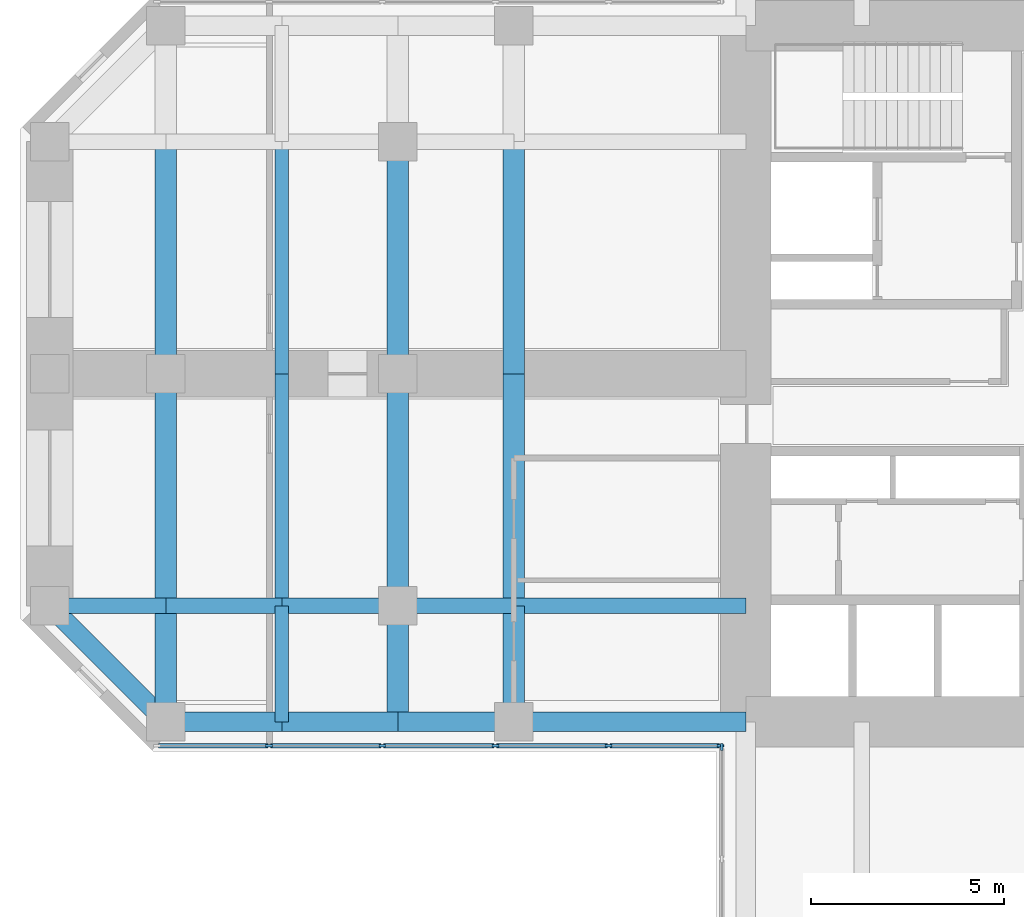
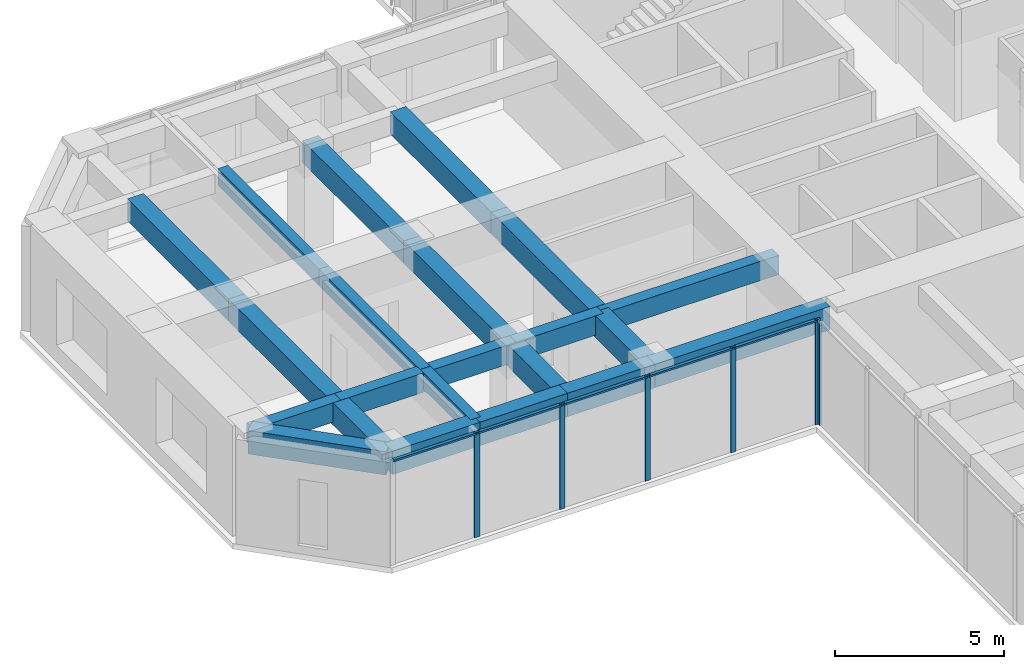
# One storey, part 3 of 12: 22 beams, 11 members, 2 elements without a shape of their own.
"""IFC4 building model written with IfcOpenShell, lengths in metres."""

from ifc_helpers import new_model, si_unit, direction, frame, origin, origin_2d, place, context, subcontext, project, spatial, rectangle, extrude, material, material_profile, profile_set, type_object, element, aggregate, save


model = new_model("IFC4")

# Units and contexts
model_context = context("Model", 3, precision=1e-05, world=origin(), true_north=direction((0.0, 1.0)))
body_context = subcontext(model_context, "Body", "Model", "MODEL_VIEW")
ifc_project = project(units=[si_unit("LENGTHUNIT", "METRE"), si_unit("AREAUNIT", "SQUARE_METRE"), si_unit("VOLUMEUNIT", "CUBIC_METRE"), si_unit("PLANEANGLEUNIT", "RADIAN"), si_unit("MASSUNIT", "GRAM", prefix="KILO")], contexts=[model_context])

# Site, building, storey
site_placement = place(None, origin())
site = spatial("IfcSite", under=ifc_project, at=site_placement, CompositionType="ELEMENT")
building_placement = place(site_placement, origin())
building = spatial("IfcBuilding", under=site, at=building_placement, Name="Torre Cruceta", CompositionType="ELEMENT")
storey_placement = place(building_placement, frame((0.0, 0.0, 100.5)))
storey = spatial("IfcBuildingStorey", under=building, at=storey_placement, Name="L24", CompositionType="ELEMENT", Elevation=100.5)

# Beams
ifc_material_1 = material(Name="Concrete G60 (fck 60 MPa)", Category="concrete")
ifc_material_profile_1 = material_profile(ifc_material_1, rectangle(XDim=0.39990234375, YDim=0.699951171875, at=origin_2d()), Name="RC 400X700")
ifc_profile_set_1 = profile_set([ifc_material_profile_1], Name="Concrete G60 (fck 60 MPa)")
beam_type_1 = type_object("IfcBeamType", Name="COLUMN LINE BEAM RC 400X700", PredefinedType="BEAM", material=ifc_profile_set_1)
beam_1_placement = place(storey_placement, frame((-9.0, -6.0, 3.449951171875), z_axis=(-1.0, 0.0, 0.0), x_axis=(0.0, -1.0, 0.0)))
element("IfcBeam", 1, at=beam_1_placement, inside=storey, type_object=beam_type_1, Name="LB5 L24 W col+ 1", PredefinedType="BEAM", context=body_context, shape_type="SweptSolid", body=[
    extrude(rectangle(XDim=0.39990234375, YDim=0.699951171875, at=origin_2d()), origin(), (0.0, 0.0, 1.0), 6.0),
])
for number, where, z_axis, x_axis, name in (
    (2, (-15.0, -6.0, 3.449951171875), (-1.0, 0.0, 0.0), (0.0, -1.0, 0.0), "LB5 L24 W col+ 2"),
    (3, (-18.0, -6.0, 3.449951171875), (-1.0, 0.0, 0.0), (0.0, -1.0, 0.0), "LB5 L24 W col+ 3"),
    (4, (-21.0, -6.0, 3.449951171875), (-1.0, 0.0, 0.0), (0.0, -1.0, 0.0), "LB5 L24 W col+ 4"),
    (5, (-24.0, -6.0, 3.449951171875), (-1.0, 0.0, 0.0), (0.0, -1.0, 0.0), "LB5 L24 W col+ 5"),
):
    element("IfcBeam", number, at=place(storey_placement, frame(where, z_axis=z_axis, x_axis=x_axis)), inside=storey, type_object=beam_type_1, Name=name, PredefinedType="BEAM", context=body_context, shape_type="SweptSolid", body=[
        extrude(rectangle(XDim=0.39990234375, YDim=0.699951171875, at=origin_2d()), origin(), (0.0, 0.0, 1.0), 3.0),
    ])
ifc_material_2 = material(Name="Concrete G60 (fck 60 MPa)", Category="concrete")
ifc_material_profile_2 = material_profile(ifc_material_2, rectangle(XDim=0.550048828125, YDim=0.800048828125, at=origin_2d()), Name="RC 550X800")
ifc_profile_set_2 = profile_set([ifc_material_profile_2], Name="Concrete G60 (fck 60 MPa)")
beam_type_2 = type_object("IfcBeamType", Name="CROSS BEAM RC 550X800", PredefinedType="BEAM", material=ifc_profile_set_2)
for number, where, z_axis, x_axis, name in (
    (6, (-15.0, 6.0, 3.39990234375), (0.0, -1.0, 0.0), (1.0, 0.0, 0.0), "GB5 L24 W cross15 2"),
    (7, (-15.0, 0.0, 3.39990234375), (0.0, -1.0, 0.0), (1.0, 0.0, 0.0), "GB5 L24 W cross15 3"),
):
    element("IfcBeam", number, at=place(storey_placement, frame(where, z_axis=z_axis, x_axis=x_axis)), inside=storey, type_object=beam_type_2, Name=name, PredefinedType="BEAM", context=body_context, shape_type="SweptSolid", body=[
        extrude(rectangle(XDim=0.550048828125, YDim=0.800048828125, at=origin_2d()), origin(), (0.0, 0.0, 1.0), 6.0),
    ])
beam_2_placement = place(storey_placement, frame((-15.0, -6.0, 3.39990234375), z_axis=(0.0, -1.0, 0.0), x_axis=(1.0, 0.0, 0.0)))
element("IfcBeam", 8, at=beam_2_placement, inside=storey, type_object=beam_type_2, Name="GB5 L24 W cross15 4", PredefinedType="BEAM", context=body_context, shape_type="SweptSolid", body=[
    extrude(rectangle(XDim=0.550048828125, YDim=0.800048828125, at=origin_2d()), origin(), (0.0, 0.0, 1.0), 3.0),
])
for number, where, z_axis, x_axis, name in (
    (9, (-18.0, 6.0, 3.39990234375), (0.0, -1.0, 0.0), (1.0, 0.0, 0.0), "GB5 L24 W cross18 2"),
    (10, (-18.0, 0.0, 3.39990234375), (0.0, -1.0, 0.0), (1.0, 0.0, 0.0), "GB5 L24 W cross18 3"),
):
    element("IfcBeam", number, at=place(storey_placement, frame(where, z_axis=z_axis, x_axis=x_axis)), inside=storey, type_object=beam_type_2, Name=name, PredefinedType="BEAM", context=body_context, shape_type="SweptSolid", body=[
        extrude(rectangle(XDim=0.550048828125, YDim=0.800048828125, at=origin_2d()), origin(), (0.0, 0.0, 1.0), 6.0),
    ])
beam_3_placement = place(storey_placement, frame((-18.0, -6.0, 3.39990234375), z_axis=(0.0, -1.0, 0.0), x_axis=(1.0, 0.0, 0.0)))
element("IfcBeam", 11, at=beam_3_placement, inside=storey, type_object=beam_type_2, Name="GB5 L24 W cross18 4", PredefinedType="BEAM", context=body_context, shape_type="SweptSolid", body=[
    extrude(rectangle(XDim=0.550048828125, YDim=0.800048828125, at=origin_2d()), origin(), (0.0, 0.0, 1.0), 3.0),
])
for number, where, z_axis, x_axis, name in (
    (12, (-24.0, 6.0, 3.39990234375), (0.0, -1.0, 0.0), (1.0, 0.0, 0.0), "GB5 L24 W cross24 2"),
    (13, (-24.0, 0.0, 3.39990234375), (0.0, -1.0, 0.0), (1.0, 0.0, 0.0), "GB5 L24 W cross24 3"),
):
    element("IfcBeam", number, at=place(storey_placement, frame(where, z_axis=z_axis, x_axis=x_axis)), inside=storey, type_object=beam_type_2, Name=name, PredefinedType="BEAM", context=body_context, shape_type="SweptSolid", body=[
        extrude(rectangle(XDim=0.550048828125, YDim=0.800048828125, at=origin_2d()), origin(), (0.0, 0.0, 1.0), 6.0),
    ])
beam_4_placement = place(storey_placement, frame((-24.0, -6.0, 3.39990234375), z_axis=(0.0, -1.0, 0.0), x_axis=(1.0, 0.0, 0.0)))
element("IfcBeam", 14, at=beam_4_placement, inside=storey, type_object=beam_type_2, Name="GB5 L24 W cross24 4", PredefinedType="BEAM", context=body_context, shape_type="SweptSolid", body=[
    extrude(rectangle(XDim=0.550048828125, YDim=0.800048828125, at=origin_2d()), origin(), (0.0, 0.0, 1.0), 3.0),
])

# Curtain wall, members
ifc_material_3 = material(Name="Aluminium unitised curtain wall", Category="aluminium")
curtain_wall_type = type_object("IfcCurtainWallType", Name="CURTAIN WALL CW-B OFFICE MID RISE", PredefinedType="USERDEFINED", material=ifc_material_3)
curtain_wall_1_placement = place(storey_placement, origin())
curtain_wall_1 = element("IfcCurtainWall", 15, at=curtain_wall_1_placement, inside=storey, type_object=curtain_wall_type, Name="CW-B L24 W side 14", ObjectType="UNITISED", PredefinedType="USERDEFINED")
ifc_material_4 = material(Name="Aluminium mullion", Category="aluminium")
ifc_material_profile_3 = material_profile(ifc_material_4, rectangle(XDim=0.06494140625, YDim=0.179931640625, at=origin_2d()), Name="AL 65X180")
ifc_profile_set_3 = profile_set([ifc_material_profile_3], Name="Aluminium mullion")
member_type_1 = type_object("IfcMemberType", Name="CW-B MULLION 65X180", PredefinedType="MULLION", material=ifc_profile_set_3)
member_1_placement = place(storey_placement, frame((-21.329345703125, -9.6201171875, 0.0), z_axis=(0.0, 0.0, 1.0), x_axis=(0.0, 1.0, 0.0)))
member_1 = element("IfcMember", 16, at=member_1_placement, type_object=member_type_1, Name="CW-B mullion 2", PredefinedType="MULLION", context=body_context, shape_type="SweptSolid", body=[
    extrude(rectangle(XDim=0.06494140625, YDim=0.179931640625, at=origin_2d()), origin(), (0.0, 0.0, 1.0), 3.800048828125),
])
member_2_placement = place(storey_placement, frame((-18.402099609375, -9.6201171875, 0.0), z_axis=(0.0, 0.0, 1.0), x_axis=(0.0, 1.0, 0.0)))
member_2 = element("IfcMember", 17, at=member_2_placement, type_object=member_type_1, Name="CW-B mullion 3", PredefinedType="MULLION", context=body_context, shape_type="SweptSolid", body=[
    extrude(rectangle(XDim=0.06494140625, YDim=0.179931640625, at=origin_2d()), origin(), (0.0, 0.0, 1.0), 3.800048828125),
])
member_3_placement = place(storey_placement, frame((-15.474609375, -9.6201171875, 0.0), z_axis=(0.0, 0.0, 1.0), x_axis=(0.0, 1.0, 0.0)))
member_3 = element("IfcMember", 18, at=member_3_placement, type_object=member_type_1, Name="CW-B mullion 4", PredefinedType="MULLION", context=body_context, shape_type="SweptSolid", body=[
    extrude(rectangle(XDim=0.06494140625, YDim=0.179931640625, at=origin_2d()), origin(), (0.0, 0.0, 1.0), 3.800048828125),
])
member_4_placement = place(storey_placement, frame((-12.54736328125, -9.6201171875, 0.0), z_axis=(0.0, 0.0, 1.0), x_axis=(0.0, 1.0, 0.0)))
member_4 = element("IfcMember", 19, at=member_4_placement, type_object=member_type_1, Name="CW-B mullion 5", PredefinedType="MULLION", context=body_context, shape_type="SweptSolid", body=[
    extrude(rectangle(XDim=0.06494140625, YDim=0.179931640625, at=origin_2d()), origin(), (0.0, 0.0, 1.0), 3.800048828125),
])
member_5_placement = place(storey_placement, frame((-9.652587890625, -9.6201171875, 0.0), z_axis=(0.0, 0.0, 1.0), x_axis=(0.0, 1.0, 0.0)))
member_5 = element("IfcMember", 20, at=member_5_placement, type_object=member_type_1, Name="CW-B mullion 6", PredefinedType="MULLION", context=body_context, shape_type="SweptSolid", body=[
    extrude(rectangle(XDim=0.06494140625, YDim=0.179931640625, at=origin_2d()), origin(), (0.0, 0.0, 1.0), 3.800048828125),
])

# Curtain wall, member
curtain_wall_2_placement = place(storey_placement, origin())
curtain_wall_2 = element("IfcCurtainWall", 21, at=curtain_wall_2_placement, inside=storey, type_object=curtain_wall_type, Name="CW-B L24 S side 15", ObjectType="UNITISED", PredefinedType="USERDEFINED")
member_6_placement = place(storey_placement, frame((-9.6201171875, -9.652587890625, 0.0), z_axis=(0.0, 0.0, 1.0), x_axis=(1.0, 0.0, 0.0)))
member_6 = element("IfcMember", 22, at=member_6_placement, type_object=member_type_1, Name="CW-B mullion 1", PredefinedType="MULLION", context=body_context, shape_type="SweptSolid", body=[
    extrude(rectangle(XDim=0.06494140625, YDim=0.179931640625, at=origin_2d()), origin(), (0.0, 0.0, 1.0), 3.800048828125),
])
aggregate(curtain_wall_2, [member_6])

# Member
ifc_material_5 = material(Name="Aluminium transom", Category="aluminium")
ifc_material_profile_4 = material_profile(ifc_material_5, rectangle(XDim=0.110107421875, YDim=0.06494140625, at=origin_2d()), Name="AL 110X65")
ifc_profile_set_4 = profile_set([ifc_material_profile_4], Name="Aluminium transom")
member_type_2 = type_object("IfcMemberType", Name="CW-B TRANSOM 65X110", PredefinedType="USERDEFINED", material=ifc_profile_set_4)
member_7_placement = place(storey_placement, frame((-24.19189453125, -9.6201171875, 3.767578125), z_axis=(1.0, 0.0, 0.0), x_axis=(0.0, 1.0, 0.0)))
member_7 = element("IfcMember", 23, at=member_7_placement, type_object=member_type_2, Name="CW-B transom 1", ObjectType="TRANSOM", PredefinedType="USERDEFINED", context=body_context, shape_type="SweptSolid", body=[
    extrude(rectangle(XDim=0.110107421875, YDim=0.06494140625, at=origin_2d()), origin(), (0.0, 0.0, 1.0), 2.829833984375),
])

member_8_placement = place(storey_placement, frame((-21.296875, -9.6201171875, 3.767578125), z_axis=(1.0, 0.0, 0.0), x_axis=(0.0, 1.0, 0.0)))
member_8 = element("IfcMember", 24, at=member_8_placement, type_object=member_type_2, Name="CW-B transom 2", ObjectType="TRANSOM", PredefinedType="USERDEFINED", context=body_context, shape_type="SweptSolid", body=[
    extrude(rectangle(XDim=0.110107421875, YDim=0.06494140625, at=origin_2d()), origin(), (0.0, 0.0, 1.0), 2.8623046875),
])

member_9_placement = place(storey_placement, frame((-18.36962890625, -9.6201171875, 3.767578125), z_axis=(1.0, 0.0, 0.0), x_axis=(0.0, 1.0, 0.0)))
member_9 = element("IfcMember", 25, at=member_9_placement, type_object=member_type_2, Name="CW-B transom 3", ObjectType="TRANSOM", PredefinedType="USERDEFINED", context=body_context, shape_type="SweptSolid", body=[
    extrude(rectangle(XDim=0.110107421875, YDim=0.06494140625, at=origin_2d()), origin(), (0.0, 0.0, 1.0), 2.8623046875),
])

member_10_placement = place(storey_placement, frame((-15.442138671875, -9.6201171875, 3.767578125), z_axis=(1.0, 0.0, 0.0), x_axis=(0.0, 1.0, 0.0)))
member_10 = element("IfcMember", 26, at=member_10_placement, type_object=member_type_2, Name="CW-B transom 4", ObjectType="TRANSOM", PredefinedType="USERDEFINED", context=body_context, shape_type="SweptSolid", body=[
    extrude(rectangle(XDim=0.110107421875, YDim=0.06494140625, at=origin_2d()), origin(), (0.0, 0.0, 1.0), 2.8623046875),
])

member_11_placement = place(storey_placement, frame((-12.514892578125, -9.6201171875, 3.767578125), z_axis=(1.0, 0.0, 0.0), x_axis=(0.0, 1.0, 0.0)))
member_11 = element("IfcMember", 27, at=member_11_placement, type_object=member_type_2, Name="CW-B transom 5", ObjectType="TRANSOM", PredefinedType="USERDEFINED", context=body_context, shape_type="SweptSolid", body=[
    extrude(rectangle(XDim=0.110107421875, YDim=0.06494140625, at=origin_2d()), origin(), (0.0, 0.0, 1.0), 2.829833984375),
])

aggregate(curtain_wall_1, [member_1, member_2, member_3, member_4, member_5, member_7, member_8, member_9, member_10, member_11])

# Beams
ifc_material_6 = material(Name="Concrete G60 (fck 60 MPa)", Category="concrete")
ifc_material_profile_5 = material_profile(ifc_material_6, rectangle(XDim=0.35009765625, YDim=0.60009765625, at=origin_2d()), Name="RC 350X600")
ifc_profile_set_5 = profile_set([ifc_material_profile_5], Name="Concrete G60 (fck 60 MPa)")
beam_type_3 = type_object("IfcBeamType", Name="SECONDARY BEAM RC 350X600", PredefinedType="JOIST", material=ifc_profile_set_5)
for number, where, z_axis, x_axis, name in (
    (28, (-21.0, 6.0, 3.5), (0.0, -1.0, 0.0), (1.0, 0.0, 0.0), "JB5 L24 W sec21 2"),
    (29, (-21.0, 0.0, 3.5), (0.0, -1.0, 0.0), (1.0, 0.0, 0.0), "JB5 L24 W sec21 3"),
):
    element("IfcBeam", number, at=place(storey_placement, frame(where, z_axis=z_axis, x_axis=x_axis)), inside=storey, type_object=beam_type_3, Name=name, PredefinedType="JOIST", context=body_context, shape_type="SweptSolid", body=[
        extrude(rectangle(XDim=0.35009765625, YDim=0.60009765625, at=origin_2d()), origin(), (0.0, 0.0, 1.0), 6.0),
    ])
beam_5_placement = place(storey_placement, frame((-21.0, -6.0, 3.5), z_axis=(0.0, -1.0, 0.0), x_axis=(1.0, 0.0, 0.0)))
element("IfcBeam", 30, at=beam_5_placement, inside=storey, type_object=beam_type_3, Name="JB5 L24 W sec21 4", PredefinedType="JOIST", context=body_context, shape_type="SweptSolid", body=[
    extrude(rectangle(XDim=0.35009765625, YDim=0.60009765625, at=origin_2d()), origin(), (0.0, 0.0, 1.0), 3.0),
])
ifc_material_7 = material(Name="Concrete G60 (fck 60 MPa)", Category="concrete")
ifc_material_profile_6 = material_profile(ifc_material_7, rectangle(XDim=0.5, YDim=0.85009765625, at=origin_2d()), Name="RC 500X850")
ifc_profile_set_6 = profile_set([ifc_material_profile_6], Name="Concrete G60 (fck 60 MPa)")
beam_type_4 = type_object("IfcBeamType", Name="SPANDREL BEAM RC 500X850", PredefinedType="SPANDREL", material=ifc_profile_set_6)
beam_6_placement = place(storey_placement, frame((-9.0, -9.0, 3.375), z_axis=(-1.0, 0.0, 0.0), x_axis=(0.0, -1.0, 0.0)))
element("IfcBeam", 31, at=beam_6_placement, inside=storey, type_object=beam_type_4, Name="SB5 L24 W side+ 1", PredefinedType="SPANDREL", context=body_context, shape_type="SweptSolid", body=[
    extrude(rectangle(XDim=0.5, YDim=0.85009765625, at=origin_2d()), origin(), (0.0, 0.0, 1.0), 6.0),
])
for number, where, z_axis, x_axis, name in (
    (32, (-15.0, -9.0, 3.375), (-1.0, 0.0, 0.0), (0.0, -1.0, 0.0), "SB5 L24 W side+ 2"),
    (33, (-18.0, -9.0, 3.375), (-1.0, 0.0, 0.0), (0.0, -1.0, 0.0), "SB5 L24 W side+ 3"),
    (34, (-21.0, -9.0, 3.375), (-1.0, 0.0, 0.0), (0.0, -1.0, 0.0), "SB5 L24 W side+ 4"),
):
    element("IfcBeam", number, at=place(storey_placement, frame(where, z_axis=z_axis, x_axis=x_axis)), inside=storey, type_object=beam_type_4, Name=name, PredefinedType="SPANDREL", context=body_context, shape_type="SweptSolid", body=[
        extrude(rectangle(XDim=0.5, YDim=0.85009765625, at=origin_2d()), origin(), (0.0, 0.0, 1.0), 3.0),
    ])
beam_7_placement = place(storey_placement, frame((-24.0, -9.0, 3.375), z_axis=(-0.707106781187, 0.707106781187, 0.0), x_axis=(-0.707106781187, -0.707106781187, 0.0)))
element("IfcBeam", 35, at=beam_7_placement, inside=storey, type_object=beam_type_4, Name="SB5 L24 W side+ 5", PredefinedType="SPANDREL", context=body_context, shape_type="SweptSolid", body=[
    extrude(rectangle(XDim=0.5, YDim=0.85009765625, at=origin_2d()), origin(), (0.0, 0.0, 1.0), 4.24267578125),
])

save(model, "model.ifc")
